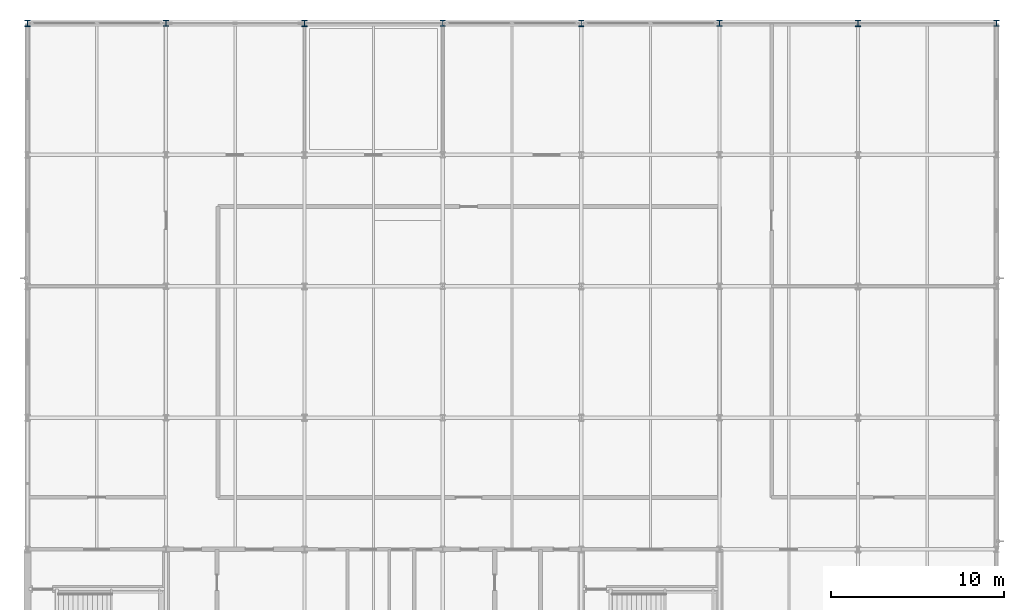
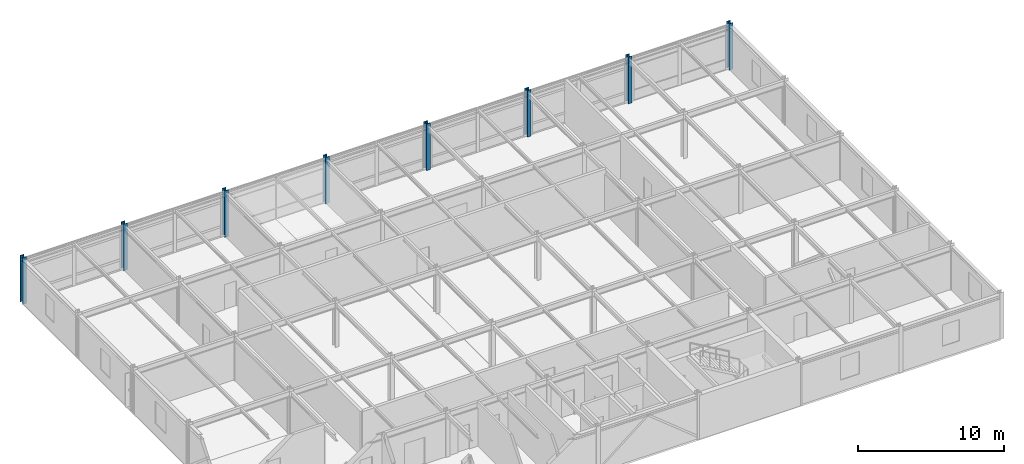
# One storey, part 3 of 15: 8 columns.
"""IFC4 building model written with IfcOpenShell, lengths in metres."""

import ifcopenshell
import ifcopenshell.guid

model = None  # the IFC model being written
_history = None  # IfcOwnerHistory: only IFC2X3 demands one
_inside = {}  # id of a spatial element -> (the spatial element, [elements in it])
_under = {}  # id of a project, library or spatial element -> (it, [spatial elements below it])
_declared = {}  # id of a project -> (the project, [libraries it declares])
_typed = {}  # id of a type object -> (the type object, [elements of that type])
_made_of = {}  # id of a material, layer set ... -> (it, [elements and type objects made of it])


def new_model(schema):
    """Start an empty IFC model of exactly this schema.

    Asked for "IFC4X3", IfcOpenShell would pick the latest addendum, in which some entities
    have other attributes; the version numbers below select the first issue.
    IFC2X3 requires an IfcOwnerHistory on every rooted entity: one is made here for all.
    """
    global model, _history
    if schema == "IFC4X3":
        model = ifcopenshell.file(schema_version=(4, 3, 0, 0))
    else:
        model = ifcopenshell.file(schema=schema)
    _inside.clear()
    _under.clear()
    _declared.clear()
    _typed.clear()
    _made_of.clear()
    _history = None
    if model.schema == "IFC2X3":
        org = make("IfcOrganization", Name="unknown")
        user = make(
            "IfcPersonAndOrganization",
            ThePerson=make("IfcPerson", FamilyName="unknown"),
            TheOrganization=org,
        )
        app = make(
            "IfcApplication",
            ApplicationDeveloper=org,
            Version="unknown",
            ApplicationFullName="unknown",
            ApplicationIdentifier="unknown",
        )
        _history = make(
            "IfcOwnerHistory",
            OwningUser=user,
            OwningApplication=app,
            ChangeAction="ADDED",
            CreationDate=0,
        )
    return model


def make(cls, **values):
    """One entity of the class cls with the attributes given. An attribute that is None is left unset."""
    return model.create_entity(
        cls, **{name: value for name, value in values.items() if value is not None}
    )


def rooted(cls, **values):
    """An entity with a GlobalId (a new one), such as an element, a storey or a relation."""
    return make(cls, GlobalId=ifcopenshell.guid.new(), OwnerHistory=_history, **values)


def si_unit(unit_type, name, prefix=None):
    """IfcSIUnit, for example si_unit("LENGTHUNIT", "METRE", prefix="MILLI")."""
    return make("IfcSIUnit", UnitType=unit_type, Prefix=prefix, Name=name)


def assignment(units):
    """IfcUnitAssignment: the units of a project."""
    return None if units is None else make("IfcUnitAssignment", Units=units)


def point(xyz):
    """IfcCartesianPoint."""
    return None if xyz is None else make("IfcCartesianPoint", Coordinates=xyz)


def direction(xyz):
    """IfcDirection."""
    return None if xyz is None else make("IfcDirection", DirectionRatios=xyz)


def frame(location, z_axis=None, x_axis=None):
    """IfcAxis2Placement3D, a coordinate frame: its origin and axes. An axis left out is left unset."""
    return make(
        "IfcAxis2Placement3D",
        Location=point(location),
        Axis=direction(z_axis),
        RefDirection=direction(x_axis),
    )


def frame_2d(location, x_axis=None):
    """IfcAxis2Placement2D, a coordinate frame in the plane: its origin and x axis."""
    return make(
        "IfcAxis2Placement2D", Location=point(location), RefDirection=direction(x_axis)
    )


def origin():
    """The frame at (0, 0, 0) with its axes left unset."""
    return frame((0.0, 0.0, 0.0))


def origin_2d():
    """The frame at (0, 0) in the plane with its x axis left unset."""
    return frame_2d((0.0, 0.0))


def place(relative_to, where):
    """IfcLocalPlacement: puts the frame where relative to a parent placement (None: the world)."""
    return make(
        "IfcLocalPlacement", PlacementRelTo=relative_to, RelativePlacement=where
    )


def context(
    kind, dimensions, precision=None, world=None, true_north=None, identifier=None
):
    """IfcGeometricRepresentationContext, for example the 3D "Model" context."""
    return make(
        "IfcGeometricRepresentationContext",
        ContextIdentifier=identifier,
        ContextType=kind,
        CoordinateSpaceDimension=dimensions,
        Precision=precision,
        WorldCoordinateSystem=world,
        TrueNorth=true_north,
    )


def subcontext(parent, identifier, kind, view, scale=None):
    """IfcGeometricRepresentationSubContext, for example "Body" below "Model"."""
    return make(
        "IfcGeometricRepresentationSubContext",
        ContextIdentifier=identifier,
        ContextType=kind,
        ParentContext=parent,
        TargetScale=scale,
        TargetView=view,
    )


def project(units=None, contexts=None):
    """IfcProject with its units and contexts."""
    return rooted(
        "IfcProject",
        Name="project",
        RepresentationContexts=contexts,
        UnitsInContext=assignment(units),
    )


def spatial(cls, under=None, at=None, **own):
    """A site, building, storey or space (cls), placed at a placement, below another one or the project."""
    s = rooted(cls, ObjectPlacement=at, **own)
    if under is not None:
        _under.setdefault(under.id(), (under, []))[1].append(s)
    return s


def profile(cls, at=None, kind="AREA", **sizes):
    """A parametric profile (cls). Its sizes go by their IFC names, for example OverallWidth=200.0."""
    return make(cls, ProfileType=kind, Position=at, **sizes)


def i_section(**sizes):
    """IfcIShapeProfileDef."""
    return profile("IfcIShapeProfileDef", **sizes)


def extrude(swept, where, along, depth):
    """IfcExtrudedAreaSolid: the profile swept, set in the frame where, extruded along a direction by depth."""
    return make(
        "IfcExtrudedAreaSolid",
        SweptArea=swept,
        Position=where,
        ExtrudedDirection=direction(along),
        Depth=depth,
    )


def shape(context_of_items, identifier, shape_type, items):
    """IfcShapeRepresentation: the items that make up one representation, for example the "Body"."""
    return make(
        "IfcShapeRepresentation",
        ContextOfItems=context_of_items,
        RepresentationIdentifier=identifier,
        RepresentationType=shape_type,
        Items=items,
    )


def material(Name=None, Category=None):
    """IfcMaterial."""
    return make("IfcMaterial", Name=Name, Category=Category)


def material_profile(
    of_material, cross_section, Name=None, Category=None, Priority=None
):
    """IfcMaterialProfile: a cross section and its material."""
    return make(
        "IfcMaterialProfile",
        Name=Name,
        Material=of_material,
        Profile=cross_section,
        Priority=Priority,
        Category=Category,
    )


def profile_set(profiles, Name=None, composite=None):
    """IfcMaterialProfileSet."""
    return make(
        "IfcMaterialProfileSet",
        Name=Name,
        MaterialProfiles=profiles,
        CompositeProfile=composite,
    )


def made_of(thing, what):
    """Note that an element or type object is made of a material, layer set ...; save() writes the relation."""
    if what is not None:
        _made_of.setdefault(what.id(), (what, []))[1].append(thing)
    return thing


def type_object(cls, material=None, **own):
    """A type object (cls), such as IfcWallType, which elements share."""
    return made_of(rooted(cls, **own), material)


def element(
    cls,
    number,
    at=None,
    inside=None,
    cuts=None,
    type_object=None,
    material=None,
    context=None,
    identifier="Body",
    shape_type=None,
    held_by="IfcProductDefinitionShape",
    body=None,
    shapes=None,
    **own,
):
    """One element of the class cls, such as IfcWall. Its Tag is "e" and its number.

    at: its placement. inside: the storey or other place that contains it. cuts: it is an
    opening in that element (IfcRelVoidsElement). A single representation is given by context,
    identifier, shape_type and body (its items); several are given by shapes. held_by: the class
    of the entity that holds the representations. save() writes the other relations.
    """
    e = rooted(cls, Tag="e%d" % number, ObjectPlacement=at, **own)
    if body is not None:
        shapes = [shape(context, identifier, shape_type, body)]
    if shapes is not None:
        e.Representation = make(held_by, Representations=shapes)
    if inside is not None:
        _inside.setdefault(inside.id(), (inside, []))[1].append(e)
    if cuts is not None:
        rooted(
            "IfcRelVoidsElement", RelatingBuildingElement=cuts, RelatedOpeningElement=e
        )
    if type_object is not None:
        _typed.setdefault(type_object.id(), (type_object, []))[1].append(e)
    return made_of(e, material)


def aggregate(whole, parts):
    """IfcRelAggregates: a whole, such as a stair, and the parts it consists of."""
    return rooted("IfcRelAggregates", RelatingObject=whole, RelatedObjects=parts)


def save(model, path):
    """Write the relations noted so far, then the file.

    IfcRelAggregates (storeys below a building ...), IfcRelContainedInSpatialStructure (elements
    in a storey), IfcRelDefinesByType, IfcRelAssociatesMaterial and IfcRelDeclares: one each for
    every whole, place, type object, material and project.
    """
    for whole, parts in _under.values():
        aggregate(whole, parts)
    for where, things in _inside.values():
        rooted(
            "IfcRelContainedInSpatialStructure",
            RelatedElements=things,
            RelatingStructure=where,
        )
    for kind, things in _typed.values():
        rooted("IfcRelDefinesByType", RelatedObjects=things, RelatingType=kind)
    for what, things in _made_of.values():
        rooted("IfcRelAssociatesMaterial", RelatedObjects=things, RelatingMaterial=what)
    for by, libraries in _declared.values():
        rooted("IfcRelDeclares", RelatingContext=by, RelatedDefinitions=libraries)
    model.write(path)


model = new_model("IFC4")

# Units and contexts
model_context = context("Model", 3, precision=1e-05, world=origin(), true_north=direction((0.0, 1.0)))
body_context = subcontext(model_context, "Body", "Model", "MODEL_VIEW")
ifc_project = project(units=[si_unit("LENGTHUNIT", "METRE"), si_unit("AREAUNIT", "SQUARE_METRE"), si_unit("VOLUMEUNIT", "CUBIC_METRE"), si_unit("PLANEANGLEUNIT", "RADIAN"), si_unit("MASSUNIT", "GRAM", prefix="KILO")], contexts=[model_context])

# Site, building, storey
site_placement = place(None, origin())
site = spatial("IfcSite", under=ifc_project, at=site_placement, CompositionType="ELEMENT")
building_placement = place(site_placement, origin())
building = spatial("IfcBuilding", under=site, at=building_placement, Name="Shalkamar Park Central Library", CompositionType="ELEMENT")
storey_placement = place(building_placement, frame((0.0, 0.0, 39.89990234375)))
storey = spatial("IfcBuildingStorey", under=building, at=storey_placement, Name="L10", CompositionType="ELEMENT", Elevation=39.89990234375)

# Columns
ifc_material = material(Name="Steel S355", Category="steel")
ifc_material_profile_1 = material_profile(ifc_material, i_section(OverallWidth=0.30908203125, OverallDepth=0.35888671875, WebThickness=0.02099609375, FlangeThickness=0.0400390625, FilletRadius=0.027099609375, at=origin_2d()), Name="HEM 320")
ifc_profile_set_1 = profile_set([ifc_material_profile_1], Name="Steel S355")
column_type_1 = type_object("IfcColumnType", Name="Column Steel HEM320", PredefinedType="COLUMN", material=ifc_profile_set_1)
for number, where, z_axis, x_axis, name in (
    (1, (173.0, 285.60009765625, 0.0), (0.0, 0.0, 1.0), (1.0, 0.0, 0.0), "Column 08/G (L10)"),
    (2, (189.0, 285.60009765625, 0.0), (0.0, 0.0, 1.0), (1.0, 0.0, 0.0), "Column 10/G (L10)"),
    (3, (205.0, 285.60009765625, 0.0), (0.0, 0.0, 1.0), (1.0, 0.0, 0.0), "Column 12/G (L10)"),
    (4, (221.0, 285.60009765625, 0.0), (0.0, 0.0, 1.0), (1.0, 0.0, 0.0), "Column 14/G (L10)"),
):
    element("IfcColumn", number, at=place(storey_placement, frame(where, z_axis=z_axis, x_axis=x_axis)), inside=storey, type_object=column_type_1, Name=name, PredefinedType="COLUMN", context=body_context, shape_type="SweptSolid", body=[
        extrude(i_section(OverallWidth=0.30908203125, OverallDepth=0.35888671875, WebThickness=0.02099609375, FlangeThickness=0.0400390625, FilletRadius=0.027099609375, at=origin_2d()), origin(), (0.0, 0.0, 1.0), 3.900146484375),
    ])
ifc_material_profile_2 = material_profile(ifc_material, i_section(OverallWidth=0.30908203125, OverallDepth=0.376953125, WebThickness=0.02099609375, FlangeThickness=0.0400390625, FilletRadius=0.027099609375, at=origin_2d()), Name="HEM 340")
ifc_profile_set_2 = profile_set([ifc_material_profile_2], Name="Steel S355")
column_type_2 = type_object("IfcColumnType", Name="Column Steel HEM340", PredefinedType="COLUMN", material=ifc_profile_set_2)
for number, where, z_axis, x_axis, name in (
    (5, (165.0, 285.60009765625, 0.0), (0.0, 0.0, 1.0), (1.0, 0.0, 0.0), "Column 07/G (L10)"),
    (6, (181.0, 285.60009765625, 0.0), (0.0, 0.0, 1.0), (1.0, 0.0, 0.0), "Column 09/G (L10)"),
    (7, (197.0, 285.60009765625, 0.0), (0.0, 0.0, 1.0), (1.0, 0.0, 0.0), "Column 11/G (L10)"),
    (8, (213.0, 285.60009765625, 0.0), (0.0, 0.0, 1.0), (1.0, 0.0, 0.0), "Column 13/G (L10)"),
):
    element("IfcColumn", number, at=place(storey_placement, frame(where, z_axis=z_axis, x_axis=x_axis)), inside=storey, type_object=column_type_2, Name=name, PredefinedType="COLUMN", context=body_context, shape_type="SweptSolid", body=[
        extrude(i_section(OverallWidth=0.30908203125, OverallDepth=0.376953125, WebThickness=0.02099609375, FlangeThickness=0.0400390625, FilletRadius=0.027099609375, at=origin_2d()), origin(), (0.0, 0.0, 1.0), 3.900146484375),
    ])

save(model, "model.ifc")
